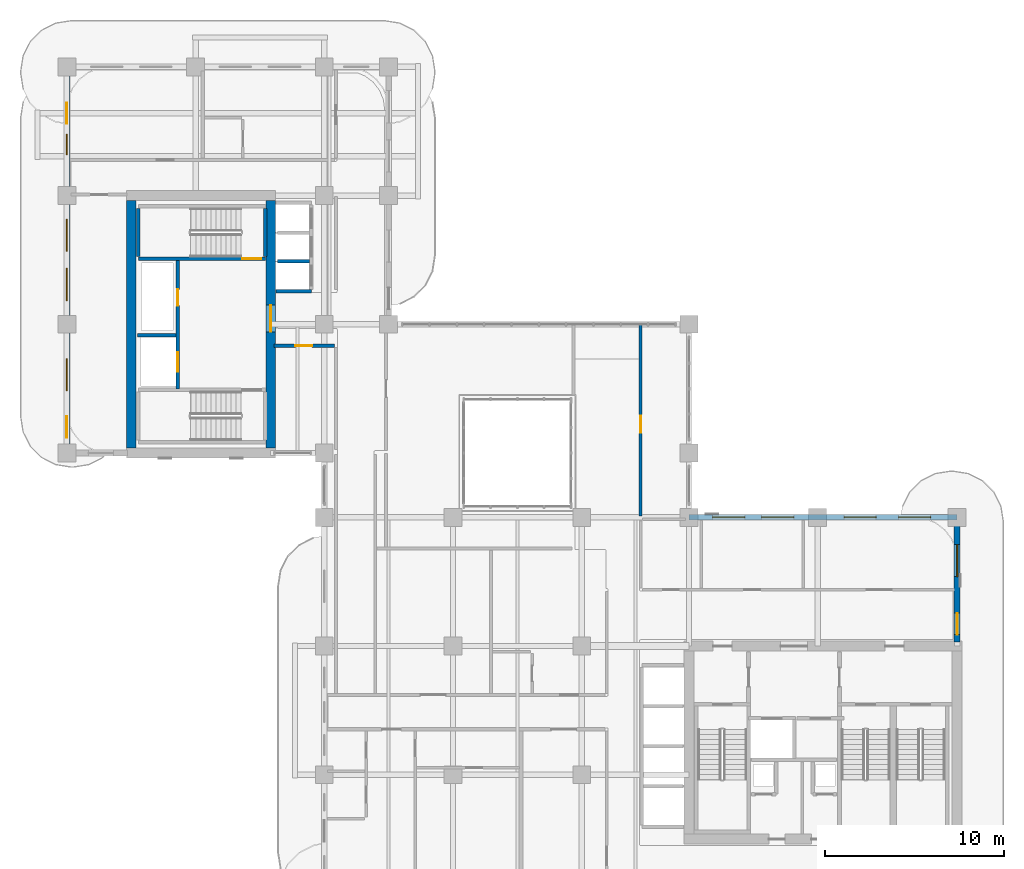
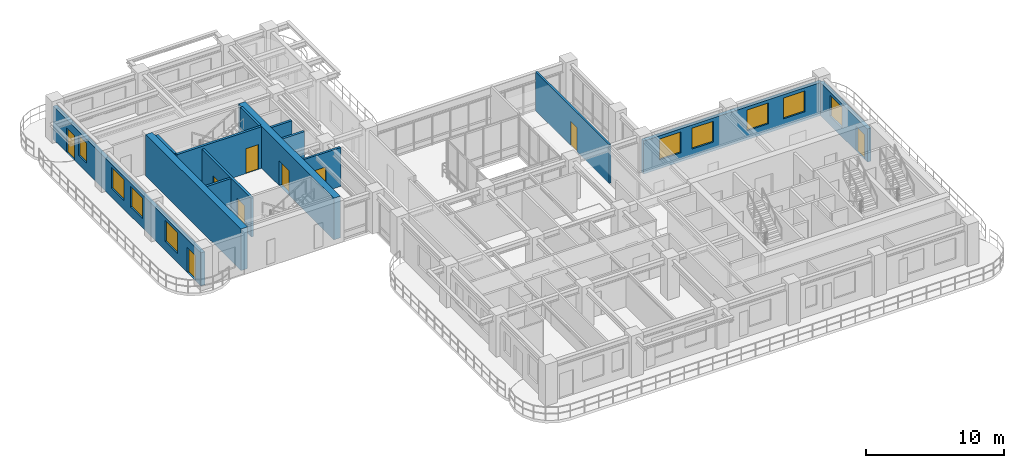
# One storey, part 14 of 20: 14 walls, 9 doors, 9 windows, 18 openings.
"""IFC4 building model written with IfcOpenShell, lengths in metres."""

from ifc_helpers import new_model, si_unit, derived_unit, direction, frame, frame_2d, origin, place, context, subcontext, project, spatial, rectangle, extrude, source, transform, mapped, material, layer, layer_set, type_object, type_shapes, element, fill, save


model = new_model("IFC4")

# Units and contexts
model_context = context("Model", 3, precision=1e-05, world=origin(), true_north=direction((0.0, 1.0)))
body_context = subcontext(model_context, "Body", "Model", "MODEL_VIEW")
ifc_project = project(units=[si_unit("LENGTHUNIT", "METRE"), si_unit("AREAUNIT", "SQUARE_METRE"), si_unit("VOLUMEUNIT", "CUBIC_METRE"), si_unit("PLANEANGLEUNIT", "RADIAN"), si_unit("MASSUNIT", "GRAM", prefix="KILO"), si_unit("THERMODYNAMICTEMPERATUREUNIT", "KELVIN"), si_unit("POWERUNIT", "WATT"), derived_unit("THERMALTRANSMITTANCEUNIT", [(si_unit("POWERUNIT", "WATT"), 1), (si_unit("AREAUNIT", "SQUARE_METRE"), -1), (si_unit("THERMODYNAMICTEMPERATUREUNIT", "KELVIN"), -1)])], contexts=[model_context])

# Site, building, storey
site_placement = place(None, origin())
site = spatial("IfcSite", under=ifc_project, at=site_placement, CompositionType="ELEMENT")
building_placement = place(site_placement, origin())
building = spatial("IfcBuilding", under=site, at=building_placement, Name="Zahravan Archway Hotel and Residences", CompositionType="ELEMENT")
storey_placement = place(building_placement, frame((0.0, 0.0, 115.5)))
storey = spatial("IfcBuildingStorey", under=building, at=storey_placement, Name="L28", CompositionType="ELEMENT", Elevation=115.5)

# Wall
ifc_material_1 = material(Name="Concrete C70/85", Category="concrete")
ifc_layer_1 = layer(ifc_material_1, 0.550048828125, Name="Concrete C70/85", Category="concrete")
ifc_layer_set_1 = layer_set([ifc_layer_1], Name="Concrete C70/85")
wall_type_1 = type_object("IfcWallType", Name="CW-CORE-550", PredefinedType="SHEAR", material=ifc_layer_set_1)
wall_1_placement = place(storey_placement, frame((3.60009765625, 25.47509765625, 0.0), z_axis=(0.0, 0.0, 1.0), x_axis=(0.0, 1.0, 0.0)))
element("IfcWall", 1, at=wall_1_placement, inside=storey, type_object=wall_type_1, Name="L28 Core B Shear W Wall 550 mm", PredefinedType="SHEAR", context=body_context, shape_type="SweptSolid", body=[
    extrude(rectangle(XDim=13.849853515625, YDim=0.550048828125, at=frame_2d((6.9248046875, 0.0))), origin(), (0.0, 0.0, 1.0), 3.699951171875),
])

# Wall, opening, door
wall_2_placement = place(storey_placement, frame((11.39990234375, 25.47509765625, 0.0), z_axis=(0.0, 0.0, 1.0), x_axis=(0.0, 1.0, 0.0)))
wall_2 = element("IfcWall", 2, at=wall_2_placement, inside=storey, type_object=wall_type_1, Name="L28 Core B Shear E Wall 550 mm", PredefinedType="SHEAR", context=body_context, shape_type="SweptSolid", body=[
    extrude(rectangle(XDim=13.849853515625, YDim=0.550048828125, at=frame_2d((6.9248046875, 0.0))), origin(), (0.0, 0.0, 1.0), 3.699951171875),
])
opening_1_placement = place(wall_2_placement, frame((6.4951171875, 0.0, 0.0)))
opening_1 = element("IfcOpeningElement", 3, at=opening_1_placement, cuts=wall_2, Name="Opening FD-L1", PredefinedType="OPENING", context=body_context, shape_type="SweptSolid", body=[
    extrude(rectangle(XDim=1.5, YDim=2.199951171875, at=frame_2d((0.75, 1.10009765625))), frame((0.0, 0.28515625, 0.0), z_axis=(0.0, -1.0, 0.0), x_axis=(1.0, 0.0, 0.0)), (0.0, 0.0, 1.0), 0.570068359375),
])
ifc_material_2 = material(Name="Fire-Rated Painted Steel", Category="steel")
door_type_1 = type_object("IfcDoorType", Name="FD-LOBBY-1500", OperationType="DOUBLE_DOOR_SINGLE_SWING", PredefinedType="DOOR", material=ifc_material_2)
shared_shape_1 = source(origin(), body_context, "Body", "SweptSolid", [
    extrude(rectangle(XDim=1.5, YDim=2.199951171875, at=frame_2d((0.75, 1.10009765625))), frame((0.0, 0.02490234375, 0.0), z_axis=(0.0, -1.0, 0.0), x_axis=(1.0, 0.0, 0.0)), (0.0, 0.0, 1.0), 0.050048828125),
])
type_shapes(door_type_1, [shared_shape_1])
door_1_placement = place(opening_1_placement, origin())
door_1 = element("IfcDoor", 4, at=door_1_placement, inside=storey, type_object=door_type_1, Name="L28 Core B FSAE Lobby Door", OperationType="DOUBLE_DOOR_SINGLE_SWING", OverallHeight=2.199951171875, OverallWidth=1.5, PredefinedType="DOOR", context=body_context, shape_type="MappedRepresentation", body=[
    mapped(shared_shape_1, transform((0.0, 0.0, 0.0), scale=1.0)),
])
fill(opening_1, door_1)

# Wall, openings, door, window
ifc_material_3 = material(Name="Agra Buff Sandstone & Insulated Backup", Category="masonry")
ifc_layer_2 = layer(ifc_material_3, 0.320068359375, Name="Agra Buff Sandstone & Insulated Backup", Category="masonry")
ifc_layer_set_2 = layer_set([ifc_layer_2], Name="Agra Buff Sandstone & Insulated Backup")
wall_type_2 = type_object("IfcWallType", Name="EW-SAND-320", PredefinedType="SOLIDWALL", material=ifc_layer_set_2)
wall_3_placement = place(storey_placement, frame((49.800048828125, 14.6201171875, 0.0), z_axis=(0.0, 0.0, 1.0), x_axis=(0.0, 1.0, 0.0)))
wall_3 = element("IfcWall", 5, at=wall_3_placement, inside=storey, type_object=wall_type_2, Name="L28 Exterior Sandstone Wall WA-EN", PredefinedType="SOLIDWALL", context=body_context, shape_type="SweptSolid", body=[
    extrude(rectangle(XDim=6.929931640625, YDim=0.320068359375, at=frame_2d((3.46484375, 0.0))), origin(), (0.0, 0.0, 1.0), 2.93505859375),
])
opening_2_placement = place(wall_3_placement, frame((0.419921875, 0.0, 0.0)))
opening_2 = element("IfcOpeningElement", 6, at=opening_2_placement, cuts=wall_3, Name="Opening ED-BL1", PredefinedType="OPENING", context=body_context, shape_type="SweptSolid", body=[
    extrude(rectangle(XDim=1.199951171875, YDim=2.199951171875, at=frame_2d((0.60009765625, 1.10009765625))), frame((0.0, 0.169921875, 0.0), z_axis=(0.0, -1.0, 0.0), x_axis=(1.0, 0.0, 0.0)), (0.0, 0.0, 1.0), 0.340087890625),
])
opening_3_placement = place(wall_3_placement, frame((3.658935546875, 0.0, 0.800048828125)))
opening_3 = element("IfcOpeningElement", 7, at=opening_3_placement, cuts=wall_3, Name="Opening W-02", PredefinedType="OPENING", context=body_context, shape_type="SweptSolid", body=[
    extrude(rectangle(XDim=1.800048828125, YDim=1.85009765625, at=frame_2d((0.89990234375, 0.925048828125))), frame((0.0, 0.169921875, 0.0), z_axis=(0.0, -1.0, 0.0), x_axis=(1.0, 0.0, 0.0)), (0.0, 0.0, 1.0), 0.340087890625),
])
ifc_material_4 = material(Name="Bronze-Anodized Glazed Aluminium", Category="aluminium")
door_type_2 = type_object("IfcDoorType", Name="ED-BALC-1200", OperationType="SLIDING_TO_LEFT", PredefinedType="DOOR", material=ifc_material_4)
shared_shape_2 = source(origin(), body_context, "Body", "SweptSolid", [
    extrude(rectangle(XDim=1.199951171875, YDim=2.199951171875, at=frame_2d((0.60009765625, 1.10009765625))), frame((0.0, 0.02490234375, 0.0), z_axis=(0.0, -1.0, 0.0), x_axis=(1.0, 0.0, 0.0)), (0.0, 0.0, 1.0), 0.050048828125),
])
type_shapes(door_type_2, [shared_shape_2])
door_2_placement = place(opening_2_placement, origin())
door_2 = element("IfcDoor", 8, at=door_2_placement, inside=storey, type_object=door_type_2, Name="L28 Outdoor Access Sliding Door (SLB-BAL-L28-EA)", OperationType="SLIDING_TO_LEFT", OverallHeight=2.199951171875, OverallWidth=1.199951171875, PredefinedType="DOOR", context=body_context, shape_type="MappedRepresentation", body=[
    mapped(shared_shape_2, transform((0.0, 0.0, 0.0), scale=1.0)),
])
fill(opening_2, door_2)
ifc_material_5 = material(Name="Bronze-Anodized Thermal-Break Aluminium & Low-E Glass", Category="aluminium")
window_type_1 = type_object("IfcWindowType", Name="WIN-TWR-1800", PartitioningType="DOUBLE_PANEL_VERTICAL", PredefinedType="WINDOW", material=ifc_material_5)
shared_shape_3 = source(origin(), body_context, "Body", "SweptSolid", [
    extrude(rectangle(XDim=1.800048828125, YDim=1.85009765625, at=frame_2d((0.89990234375, 0.925048828125))), frame((0.0, 0.030029296875, 0.0), z_axis=(0.0, -1.0, 0.0), x_axis=(1.0, 0.0, 0.0)), (0.0, 0.0, 1.0), 0.06005859375),
])
type_shapes(window_type_1, [shared_shape_3])
window_1_placement = place(opening_3_placement, origin())
window_1 = element("IfcWindow", 9, at=window_1_placement, inside=storey, type_object=window_type_1, Name="L28 Loggia Window 10", OverallHeight=1.85009765625, OverallWidth=1.800048828125, PartitioningType="DOUBLE_PANEL_VERTICAL", PredefinedType="WINDOW", context=body_context, shape_type="MappedRepresentation", body=[
    mapped(shared_shape_3, transform((0.0, 0.0, 0.0), scale=1.0)),
])
fill(opening_3, window_1)

# Wall, openings, windows
wall_4_placement = place(storey_placement, frame((34.800048828125, 21.60009765625, 0.0), z_axis=(0.0, 0.0, 1.0), x_axis=(1.0, 0.0, 0.0)))
wall_4 = element("IfcWall", 10, at=wall_4_placement, inside=storey, type_object=wall_type_2, Name="L28 Exterior Sandstone Wall WA-NE", PredefinedType="SOLIDWALL", context=body_context, shape_type="SweptSolid", body=[
    extrude(rectangle(XDim=15.0, YDim=0.320068359375, at=frame_2d((7.5, 0.0))), origin(), (0.0, 0.0, 1.0), 2.93505859375),
])
opening_4_placement = place(wall_4_placement, frame((1.322998046875, 0.0, 0.800048828125)))
opening_4 = element("IfcOpeningElement", 11, at=opening_4_placement, cuts=wall_4, Name="Opening W-02", PredefinedType="OPENING", context=body_context, shape_type="SweptSolid", body=[
    extrude(rectangle(XDim=1.800048828125, YDim=1.85009765625, at=frame_2d((0.89990234375, 0.925048828125))), frame((0.0, 0.169921875, 0.0), z_axis=(0.0, -1.0, 0.0), x_axis=(1.0, 0.0, 0.0)), (0.0, 0.0, 1.0), 0.340087890625),
])
opening_5_placement = place(wall_4_placement, frame((4.069091796875, 0.0, 0.800048828125)))
opening_5 = element("IfcOpeningElement", 12, at=opening_5_placement, cuts=wall_4, Name="Opening W-02", PredefinedType="OPENING", context=body_context, shape_type="SweptSolid", body=[
    extrude(rectangle(XDim=1.800048828125, YDim=1.85009765625, at=frame_2d((0.89990234375, 0.925048828125))), frame((0.0, 0.169921875, 0.0), z_axis=(0.0, -1.0, 0.0), x_axis=(1.0, 0.0, 0.0)), (0.0, 0.0, 1.0), 0.340087890625),
])
opening_6_placement = place(wall_4_placement, frame((8.675048828125, 0.0, 0.800048828125)))
opening_6 = element("IfcOpeningElement", 13, at=opening_6_placement, cuts=wall_4, Name="Opening W-02", PredefinedType="OPENING", context=body_context, shape_type="SweptSolid", body=[
    extrude(rectangle(XDim=1.800048828125, YDim=1.85009765625, at=frame_2d((0.89990234375, 0.925048828125))), frame((0.0, 0.169921875, 0.0), z_axis=(0.0, -1.0, 0.0), x_axis=(1.0, 0.0, 0.0)), (0.0, 0.0, 1.0), 0.340087890625),
])
opening_7_placement = place(wall_4_placement, frame((11.72509765625, 0.0, 0.800048828125)))
opening_7 = element("IfcOpeningElement", 14, at=opening_7_placement, cuts=wall_4, Name="Opening W-02", PredefinedType="OPENING", context=body_context, shape_type="SweptSolid", body=[
    extrude(rectangle(XDim=1.800048828125, YDim=1.85009765625, at=frame_2d((0.89990234375, 0.925048828125))), frame((0.0, 0.169921875, 0.0), z_axis=(0.0, -1.0, 0.0), x_axis=(1.0, 0.0, 0.0)), (0.0, 0.0, 1.0), 0.340087890625),
])
window_2_placement = place(opening_4_placement, origin())
window_2 = element("IfcWindow", 15, at=window_2_placement, inside=storey, type_object=window_type_1, Name="L28 Loggia Window 11", OverallHeight=1.85009765625, OverallWidth=1.800048828125, PartitioningType="DOUBLE_PANEL_VERTICAL", PredefinedType="WINDOW", context=body_context, shape_type="MappedRepresentation", body=[
    mapped(shared_shape_3, transform((0.0, 0.0, 0.0), scale=1.0)),
])
fill(opening_4, window_2)
window_3_placement = place(opening_5_placement, origin())
window_3 = element("IfcWindow", 16, at=window_3_placement, inside=storey, type_object=window_type_1, Name="L28 Loggia Window 12", OverallHeight=1.85009765625, OverallWidth=1.800048828125, PartitioningType="DOUBLE_PANEL_VERTICAL", PredefinedType="WINDOW", context=body_context, shape_type="MappedRepresentation", body=[
    mapped(shared_shape_3, transform((0.0, 0.0, 0.0), scale=1.0)),
])
fill(opening_5, window_3)
window_4_placement = place(opening_6_placement, origin())
window_4 = element("IfcWindow", 17, at=window_4_placement, inside=storey, type_object=window_type_1, Name="L28 Loggia Window 13", OverallHeight=1.85009765625, OverallWidth=1.800048828125, PartitioningType="DOUBLE_PANEL_VERTICAL", PredefinedType="WINDOW", context=body_context, shape_type="MappedRepresentation", body=[
    mapped(shared_shape_3, transform((0.0, 0.0, 0.0), scale=1.0)),
])
fill(opening_6, window_4)
window_5_placement = place(opening_7_placement, origin())
window_5 = element("IfcWindow", 18, at=window_5_placement, inside=storey, type_object=window_type_1, Name="L28 Loggia Window 14", OverallHeight=1.85009765625, OverallWidth=1.800048828125, PartitioningType="DOUBLE_PANEL_VERTICAL", PredefinedType="WINDOW", context=body_context, shape_type="MappedRepresentation", body=[
    mapped(shared_shape_3, transform((0.0, 0.0, 0.0), scale=1.0)),
])
fill(opening_7, window_5)

# Wall, openings, doors, windows
wall_5_placement = place(storey_placement, frame((0.0, 25.25, 0.0), z_axis=(0.0, 0.0, 1.0), x_axis=(0.0, 1.0, 0.0)))
wall_5 = element("IfcWall", 19, at=wall_5_placement, inside=storey, type_object=wall_type_2, Name="L28 Exterior Sandstone Wall WB-W", PredefinedType="SOLIDWALL", context=body_context, shape_type="SweptSolid", body=[
    extrude(rectangle(XDim=21.5, YDim=0.320068359375, at=frame_2d((10.75, 0.0))), origin(), (0.0, 0.0, 1.0), 2.93505859375),
])
opening_8_placement = place(wall_5_placement, frame((18.35693359375, 0.0, 0.0)))
opening_8 = element("IfcOpeningElement", 20, at=opening_8_placement, cuts=wall_5, Name="Opening ED-BL1", PredefinedType="OPENING", context=body_context, shape_type="SweptSolid", body=[
    extrude(rectangle(XDim=1.199951171875, YDim=2.199951171875, at=frame_2d((0.60009765625, 1.10009765625))), frame((0.0, 0.169921875, 0.0), z_axis=(0.0, -1.0, 0.0), x_axis=(1.0, 0.0, 0.0)), (0.0, 0.0, 1.0), 0.340087890625),
])
opening_9_placement = place(wall_5_placement, frame((0.800048828125, 0.0, 0.0)))
opening_9 = element("IfcOpeningElement", 21, at=opening_9_placement, cuts=wall_5, Name="Opening ED-BL1", PredefinedType="OPENING", context=body_context, shape_type="SweptSolid", body=[
    extrude(rectangle(XDim=1.199951171875, YDim=2.199951171875, at=frame_2d((0.60009765625, 1.10009765625))), frame((0.0, 0.169921875, 0.0), z_axis=(0.0, -1.0, 0.0), x_axis=(1.0, 0.0, 0.0)), (0.0, 0.0, 1.0), 0.340087890625),
])
opening_10_placement = place(wall_5_placement, frame((3.425048828125, 0.0, 0.800048828125)))
opening_10 = element("IfcOpeningElement", 22, at=opening_10_placement, cuts=wall_5, Name="Opening W-02", PredefinedType="OPENING", context=body_context, shape_type="SweptSolid", body=[
    extrude(rectangle(XDim=1.800048828125, YDim=1.85009765625, at=frame_2d((0.89990234375, 0.925048828125))), frame((0.0, 0.169921875, 0.0), z_axis=(0.0, -1.0, 0.0), x_axis=(1.0, 0.0, 0.0)), (0.0, 0.0, 1.0), 0.340087890625),
])
opening_11_placement = place(wall_5_placement, frame((8.47509765625, 0.0, 0.800048828125)))
opening_11 = element("IfcOpeningElement", 23, at=opening_11_placement, cuts=wall_5, Name="Opening W-02", PredefinedType="OPENING", context=body_context, shape_type="SweptSolid", body=[
    extrude(rectangle(XDim=1.800048828125, YDim=1.85009765625, at=frame_2d((0.89990234375, 0.925048828125))), frame((0.0, 0.169921875, 0.0), z_axis=(0.0, -1.0, 0.0), x_axis=(1.0, 0.0, 0.0)), (0.0, 0.0, 1.0), 0.340087890625),
])
opening_12_placement = place(wall_5_placement, frame((11.22509765625, 0.0, 0.800048828125)))
opening_12 = element("IfcOpeningElement", 24, at=opening_12_placement, cuts=wall_5, Name="Opening W-02", PredefinedType="OPENING", context=body_context, shape_type="SweptSolid", body=[
    extrude(rectangle(XDim=1.800048828125, YDim=1.85009765625, at=frame_2d((0.89990234375, 0.925048828125))), frame((0.0, 0.169921875, 0.0), z_axis=(0.0, -1.0, 0.0), x_axis=(1.0, 0.0, 0.0)), (0.0, 0.0, 1.0), 0.340087890625),
])
opening_13_placement = place(wall_5_placement, frame((16.632080078125, 0.0, 0.800048828125)))
opening_13 = element("IfcOpeningElement", 25, at=opening_13_placement, cuts=wall_5, Name="Opening W-05", PredefinedType="OPENING", context=body_context, shape_type="SweptSolid", body=[
    extrude(rectangle(XDim=1.14990234375, YDim=1.800048828125, at=frame_2d((0.574951171875, 0.89990234375))), frame((0.0, 0.169921875, 0.0), z_axis=(0.0, -1.0, 0.0), x_axis=(1.0, 0.0, 0.0)), (0.0, 0.0, 1.0), 0.340087890625),
])
door_3_placement = place(opening_8_placement, origin())
door_3 = element("IfcDoor", 26, at=door_3_placement, inside=storey, type_object=door_type_2, Name="L28 Outdoor Access Sliding Door (SLB-BAL-L28-NB)", OperationType="SLIDING_TO_LEFT", OverallHeight=2.199951171875, OverallWidth=1.199951171875, PredefinedType="DOOR", context=body_context, shape_type="MappedRepresentation", body=[
    mapped(shared_shape_2, transform((0.0, 0.0, 0.0), scale=1.0)),
])
fill(opening_8, door_3)
door_4_placement = place(opening_9_placement, origin())
door_4 = element("IfcDoor", 27, at=door_4_placement, inside=storey, type_object=door_type_2, Name="L28 Outdoor Access Sliding Door (SLB-BAL-L28-WB)", OperationType="SLIDING_TO_LEFT", OverallHeight=2.199951171875, OverallWidth=1.199951171875, PredefinedType="DOOR", context=body_context, shape_type="MappedRepresentation", body=[
    mapped(shared_shape_2, transform((0.0, 0.0, 0.0), scale=1.0)),
])
fill(opening_9, door_4)
window_6_placement = place(opening_10_placement, origin())
window_6 = element("IfcWindow", 28, at=window_6_placement, inside=storey, type_object=window_type_1, Name="L28 Loggia Window 22", OverallHeight=1.85009765625, OverallWidth=1.800048828125, PartitioningType="DOUBLE_PANEL_VERTICAL", PredefinedType="WINDOW", context=body_context, shape_type="MappedRepresentation", body=[
    mapped(shared_shape_3, transform((0.0, 0.0, 0.0), scale=1.0)),
])
fill(opening_10, window_6)
window_7_placement = place(opening_11_placement, origin())
window_7 = element("IfcWindow", 29, at=window_7_placement, inside=storey, type_object=window_type_1, Name="L28 Loggia Window 23", OverallHeight=1.85009765625, OverallWidth=1.800048828125, PartitioningType="DOUBLE_PANEL_VERTICAL", PredefinedType="WINDOW", context=body_context, shape_type="MappedRepresentation", body=[
    mapped(shared_shape_3, transform((0.0, 0.0, 0.0), scale=1.0)),
])
fill(opening_11, window_7)
window_8_placement = place(opening_12_placement, origin())
window_8 = element("IfcWindow", 30, at=window_8_placement, inside=storey, type_object=window_type_1, Name="L28 Loggia Window 24", OverallHeight=1.85009765625, OverallWidth=1.800048828125, PartitioningType="DOUBLE_PANEL_VERTICAL", PredefinedType="WINDOW", context=body_context, shape_type="MappedRepresentation", body=[
    mapped(shared_shape_3, transform((0.0, 0.0, 0.0), scale=1.0)),
])
fill(opening_12, window_8)
window_type_2 = type_object("IfcWindowType", Name="WIN-TWR-1150", PartitioningType="SINGLE_PANEL", PredefinedType="WINDOW", material=ifc_material_5)
shared_shape_4 = source(origin(), body_context, "Body", "SweptSolid", [
    extrude(rectangle(XDim=1.14990234375, YDim=1.800048828125, at=frame_2d((0.574951171875, 0.89990234375))), frame((0.0, 0.030029296875, 0.0), z_axis=(0.0, -1.0, 0.0), x_axis=(1.0, 0.0, 0.0)), (0.0, 0.0, 1.0), 0.06005859375),
])
type_shapes(window_type_2, [shared_shape_4])
window_9_placement = place(opening_13_placement, origin())
window_9 = element("IfcWindow", 31, at=window_9_placement, inside=storey, type_object=window_type_2, Name="L28 Loggia Window 25", OverallHeight=1.800048828125, OverallWidth=1.14990234375, PartitioningType="SINGLE_PANEL", PredefinedType="WINDOW", context=body_context, shape_type="MappedRepresentation", body=[
    mapped(shared_shape_4, transform((0.0, 0.0, 0.0), scale=1.0)),
])
fill(opening_13, window_9)

# Wall, openings, doors
ifc_material_6 = material(Name="Fire-Rated Gypsum & Concrete Block", Category="concrete")
ifc_layer_3 = layer(ifc_material_6, 0.199951171875, Name="Fire-Rated Gypsum & Concrete Block", Category="concrete")
ifc_layer_set_3 = layer_set([ifc_layer_3], Name="Fire-Rated Gypsum & Concrete Block")
wall_type_3 = type_object("IfcWallType", Name="PW-SHAFT-200", PredefinedType="PARTITIONING", material=ifc_layer_set_3)
wall_6_placement = place(storey_placement, frame((6.199951171875, 28.7900390625, 0.0), z_axis=(0.0, 0.0, 1.0), x_axis=(0.0, 1.0, 0.0)))
wall_6 = element("IfcWall", 32, at=wall_6_placement, inside=storey, type_object=wall_type_3, Name="L28 Partition CB-FL3E", PredefinedType="PARTITIONING", context=body_context, shape_type="SweptSolid", body=[
    extrude(rectangle(XDim=7.219970703125, YDim=0.199951171875, at=frame_2d((3.60986328125, 0.0))), origin(), (0.0, 0.0, 1.0), 3.449951171875),
])
opening_14_placement = place(wall_6_placement, frame((4.659912109375, 0.0, 0.0)))
opening_14 = element("IfcOpeningElement", 33, at=opening_14_placement, cuts=wall_6, Name="Opening FD-R1", PredefinedType="OPENING", context=body_context, shape_type="SweptSolid", body=[
    extrude(rectangle(XDim=0.89990234375, YDim=2.10009765625, at=frame_2d((0.449951171875, 1.050048828125))), frame((0.0, 0.10986328125, 0.0), z_axis=(0.0, -1.0, 0.0), x_axis=(1.0, 0.0, 0.0)), (0.0, 0.0, 1.0), 0.219970703125),
])
opening_15_placement = place(wall_6_placement, frame((0.9599609375, 0.0, 0.0)))
opening_15 = element("IfcOpeningElement", 34, at=opening_15_placement, cuts=wall_6, Name="Opening LD", PredefinedType="OPENING", context=body_context, shape_type="SweptSolid", body=[
    extrude(rectangle(XDim=1.10009765625, YDim=2.199951171875, at=frame_2d((0.550048828125, 1.10009765625))), frame((0.0, 0.10986328125, 0.0), z_axis=(0.0, -1.0, 0.0), x_axis=(1.0, 0.0, 0.0)), (0.0, 0.0, 1.0), 0.219970703125),
])
door_type_3 = type_object("IfcDoorType", Name="FD-RISER-900", OperationType="NOTDEFINED", PredefinedType="DOOR", material=ifc_material_2)
shared_shape_5 = source(origin(), body_context, "Body", "SweptSolid", [
    extrude(rectangle(XDim=0.89990234375, YDim=2.10009765625, at=frame_2d((0.449951171875, 1.050048828125))), frame((0.0, 0.02490234375, 0.0), z_axis=(0.0, -1.0, 0.0), x_axis=(1.0, 0.0, 0.0)), (0.0, 0.0, 1.0), 0.050048828125),
])
type_shapes(door_type_3, [shared_shape_5])
door_5_placement = place(opening_14_placement, origin())
door_5 = element("IfcDoor", 35, at=door_5_placement, inside=storey, type_object=door_type_3, Name="L28 Core B Riser Door", OperationType="SINGLE_SWING_RIGHT", OverallHeight=2.10009765625, OverallWidth=0.89990234375, PredefinedType="DOOR", context=body_context, shape_type="MappedRepresentation", body=[
    mapped(shared_shape_5, transform((0.0, 0.0, 0.0), scale=1.0)),
])
fill(opening_14, door_5)
ifc_material_7 = material(Name="Brushed Stainless Steel", Category="steel")
door_type_4 = type_object("IfcDoorType", Name="DR-LIFT-LD", OperationType="SLIDING_TO_LEFT", PredefinedType="DOOR", material=ifc_material_7)
shared_shape_6 = source(origin(), body_context, "Body", "SweptSolid", [
    extrude(rectangle(XDim=1.10009765625, YDim=2.199951171875, at=frame_2d((0.550048828125, 1.10009765625))), frame((0.0, 0.02490234375, 0.0), z_axis=(0.0, -1.0, 0.0), x_axis=(1.0, 0.0, 0.0)), (0.0, 0.0, 1.0), 0.050048828125),
])
type_shapes(door_type_4, [shared_shape_6])
door_6_placement = place(opening_15_placement, origin())
door_6 = element("IfcDoor", 36, at=door_6_placement, inside=storey, type_object=door_type_4, Name="L28 Lift FL-3 Sliding Landing Door", OperationType="SLIDING_TO_LEFT", OverallHeight=2.199951171875, OverallWidth=1.10009765625, PredefinedType="DOOR", context=body_context, shape_type="MappedRepresentation", body=[
    mapped(shared_shape_6, transform((0.0, 0.0, 0.0), scale=1.0)),
])
fill(opening_15, door_6)

# Walls
wall_7_placement = place(storey_placement, frame((3.9599609375, 31.780029296875, 0.0), z_axis=(0.0, 0.0, 1.0), x_axis=(1.0, 0.0, 0.0)))
element("IfcWall", 37, at=wall_7_placement, inside=storey, type_object=wall_type_3, Name="L28 Partition CB-FL3N", PredefinedType="PARTITIONING", context=body_context, shape_type="SweptSolid", body=[
    extrude(rectangle(XDim=2.130126953125, YDim=0.199951171875, at=frame_2d((1.06494140625, 0.0))), origin(), (0.0, 0.0, 1.0), 3.449951171875),
])
wall_8_placement = place(storey_placement, frame((11.68505859375, 34.25, 0.0), z_axis=(0.0, 0.0, 1.0), x_axis=(1.0, 0.0, 0.0)))
element("IfcWall", 38, at=wall_8_placement, inside=storey, type_object=wall_type_3, Name="L28 Partition B2-S", PredefinedType="PARTITIONING", context=body_context, shape_type="SweptSolid", body=[
    extrude(rectangle(XDim=1.98486328125, YDim=0.199951171875, at=frame_2d((0.992431640625, 0.0))), origin(), (0.0, 0.0, 1.0), 3.449951171875),
])
wall_9_placement = place(storey_placement, frame((11.784912109375, 35.919921875, 0.0), z_axis=(0.0, 0.0, 1.0), x_axis=(1.0, 0.0, 0.0)))
element("IfcWall", 39, at=wall_9_placement, inside=storey, type_object=wall_type_3, Name="L28 Partition B2-D", PredefinedType="PARTITIONING", context=body_context, shape_type="SweptSolid", body=[
    extrude(rectangle(XDim=1.78515625, YDim=0.199951171875, at=frame_2d((0.892578125, 0.0))), origin(), (0.0, 0.0, 1.0), 3.449951171875),
])

# Wall, opening, door
ifc_material_8 = material(Name="Acoustic Stud Partition")
ifc_layer_4 = layer(ifc_material_8, 0.169921875, Name="Acoustic Stud Partition")
ifc_layer_set_4 = layer_set([ifc_layer_4], Name="Acoustic Stud Partition")
wall_type_4 = type_object("IfcWallType", Name="PW-UNIT-170", PredefinedType="PARTITIONING", material=ifc_layer_set_4)
wall_10_placement = place(storey_placement, frame((11.590087890625, 31.199951171875, 0.0), z_axis=(0.0, 0.0, 1.0), x_axis=(1.0, 0.0, 0.0)))
wall_10 = element("IfcWall", 40, at=wall_10_placement, inside=storey, type_object=wall_type_4, Name="L28 Partition FB1-N", PredefinedType="PARTITIONING", context=body_context, shape_type="SweptSolid", body=[
    extrude(rectangle(XDim=3.369873046875, YDim=0.169921875, at=frame_2d((1.68505859375, 0.0))), origin(), (0.0, 0.0, 1.0), 3.449951171875),
])
opening_16_placement = place(wall_10_placement, frame((1.18505859375, 0.0, 0.0)))
opening_16 = element("IfcOpeningElement", 41, at=opening_16_placement, cuts=wall_10, Name="Opening D-I1", PredefinedType="OPENING", context=body_context, shape_type="SweptSolid", body=[
    extrude(rectangle(XDim=0.949951171875, YDim=2.14990234375, at=frame_2d((0.47509765625, 1.074951171875))), frame((0.0, 0.094970703125, 0.0), z_axis=(0.0, -1.0, 0.0), x_axis=(1.0, 0.0, 0.0)), (0.0, 0.0, 1.0), 0.18994140625),
])
ifc_material_9 = material(Name="Hardwood Veneer Timber", Category="wood")
door_type_5 = type_object("IfcDoorType", Name="ID-INT-950", OperationType="NOTDEFINED", PredefinedType="DOOR", material=ifc_material_9)
shared_shape_7 = source(origin(), body_context, "Body", "SweptSolid", [
    extrude(rectangle(XDim=0.949951171875, YDim=2.14990234375, at=frame_2d((0.47509765625, 1.074951171875))), frame((0.0, 0.02490234375, 0.0), z_axis=(0.0, -1.0, 0.0), x_axis=(1.0, 0.0, 0.0)), (0.0, 0.0, 1.0), 0.050048828125),
])
type_shapes(door_type_5, [shared_shape_7])
door_7_placement = place(opening_16_placement, origin())
door_7 = element("IfcDoor", 42, at=door_7_placement, inside=storey, type_object=door_type_5, Name="L28 Freed Bank 1 Reading Salon Door", OperationType="SINGLE_SWING_LEFT", OverallHeight=2.14990234375, OverallWidth=0.949951171875, PredefinedType="DOOR", context=body_context, shape_type="MappedRepresentation", body=[
    mapped(shared_shape_7, transform((0.0, 0.0, 0.0), scale=1.0)),
])
fill(opening_16, door_7)

wall_11_placement = place(storey_placement, frame((32.10009765625, 21.669921875, 0.0), z_axis=(0.0, 0.0, 1.0), x_axis=(0.0, 1.0, 0.0)))
wall_11 = element("IfcWall", 43, at=wall_11_placement, inside=storey, type_object=wall_type_4, Name="L28 Partition ATR-E", PredefinedType="PARTITIONING", context=body_context, shape_type="SweptSolid", body=[
    extrude(rectangle(XDim=10.7021484375, YDim=0.169921875, at=frame_2d((5.35107421875, 0.0))), origin(), (0.0, 0.0, 1.0), 3.449951171875),
])
opening_17_placement = place(wall_11_placement, frame((4.655029296875, 0.0, 0.0)))
opening_17 = element("IfcOpeningElement", 44, at=opening_17_placement, cuts=wall_11, Name="Opening D-I1", PredefinedType="OPENING", context=body_context, shape_type="SweptSolid", body=[
    extrude(rectangle(XDim=0.949951171875, YDim=2.14990234375, at=frame_2d((0.47509765625, 1.074951171875))), frame((0.0, 0.094970703125, 0.0), z_axis=(0.0, -1.0, 0.0), x_axis=(1.0, 0.0, 0.0)), (0.0, 0.0, 1.0), 0.18994140625),
])
door_8_placement = place(opening_17_placement, origin())
door_8 = element("IfcDoor", 45, at=door_8_placement, inside=storey, type_object=door_type_5, Name="L28 Atrium Conservatory Door", OperationType="SINGLE_SWING_RIGHT", OverallHeight=2.14990234375, OverallWidth=0.949951171875, PredefinedType="DOOR", context=body_context, shape_type="MappedRepresentation", body=[
    mapped(shared_shape_7, transform((0.0, 0.0, 0.0), scale=1.0)),
])
fill(opening_17, door_8)

# Walls
ifc_material_10 = material(Name="Concrete C50/60", Category="concrete")
ifc_layer_5 = layer(ifc_material_10, 0.199951171875, Name="Concrete C50/60", Category="concrete")
ifc_layer_set_5 = layer_set([ifc_layer_5], Name="Concrete C50/60")
wall_type_5 = type_object("IfcWallType", Name="SW-STAIR-200", PredefinedType="SHEAR", material=ifc_layer_set_5)
for number, where, z_axis, x_axis, name in (
    (46, (4.0, 36.179931640625, 0.0), (0.0, 0.0, 1.0), (0.0, 1.0, 0.0), "L28 Stairwell RC Wall CB-SB2W"),
    (47, (11.10009765625, 36.179931640625, 0.0), (0.0, 0.0, 1.0), (0.0, 1.0, 0.0), "L28 Stairwell RC Wall CB-SB2E"),
):
    element("IfcWall", number, at=place(storey_placement, frame(where, z_axis=z_axis, x_axis=x_axis)), inside=storey, type_object=wall_type_5, Name=name, PredefinedType="SHEAR", context=body_context, shape_type="SweptSolid", body=[
        extrude(rectangle(XDim=2.699951171875, YDim=0.199951171875, at=frame_2d((1.35009765625, 0.0))), origin(), (0.0, 0.0, 1.0), 3.699951171875),
    ])

# Wall, opening, door
wall_12_placement = place(storey_placement, frame((4.0, 36.06005859375, 0.0), z_axis=(0.0, 0.0, 1.0), x_axis=(1.0, 0.0, 0.0)))
wall_12 = element("IfcWall", 48, at=wall_12_placement, inside=storey, type_object=wall_type_5, Name="L28 Stairwell RC Wall CB-SB2S", PredefinedType="SHEAR", context=body_context, shape_type="SweptSolid", body=[
    extrude(rectangle(XDim=7.10009765625, YDim=0.199951171875, at=frame_2d((3.550048828125, 0.0))), origin(), (0.0, 0.0, 1.0), 3.699951171875),
])
opening_18_placement = place(wall_12_placement, frame((5.81494140625, 0.0, 0.0)))
opening_18 = element("IfcOpeningElement", 49, at=opening_18_placement, cuts=wall_12, Name="Opening FD-S1", PredefinedType="OPENING", context=body_context, shape_type="SweptSolid", body=[
    extrude(rectangle(XDim=1.050048828125, YDim=2.199951171875, at=frame_2d((0.52490234375, 1.10009765625))), frame((0.0, 0.10986328125, 0.0), z_axis=(0.0, -1.0, 0.0), x_axis=(1.0, 0.0, 0.0)), (0.0, 0.0, 1.0), 0.219970703125),
])
door_type_6 = type_object("IfcDoorType", Name="FD-STAIR-1100", OperationType="NOTDEFINED", PredefinedType="DOOR", material=ifc_material_2)
shared_shape_8 = source(origin(), body_context, "Body", "SweptSolid", [
    extrude(rectangle(XDim=1.050048828125, YDim=2.199951171875, at=frame_2d((0.52490234375, 1.10009765625))), frame((0.0, 0.02490234375, 0.0), z_axis=(0.0, -1.0, 0.0), x_axis=(1.0, 0.0, 0.0)), (0.0, 0.0, 1.0), 0.050048828125),
])
type_shapes(door_type_6, [shared_shape_8])
door_9_placement = place(opening_18_placement, origin())
door_9 = element("IfcDoor", 50, at=door_9_placement, inside=storey, type_object=door_type_6, Name="L28 Stair ST-B2 Door", OperationType="SINGLE_SWING_LEFT", OverallHeight=2.199951171875, OverallWidth=1.050048828125, PredefinedType="DOOR", context=body_context, shape_type="MappedRepresentation", body=[
    mapped(shared_shape_8, transform((0.0, 0.0, 0.0), scale=1.0)),
])
fill(opening_18, door_9)

save(model, "model.ifc")
